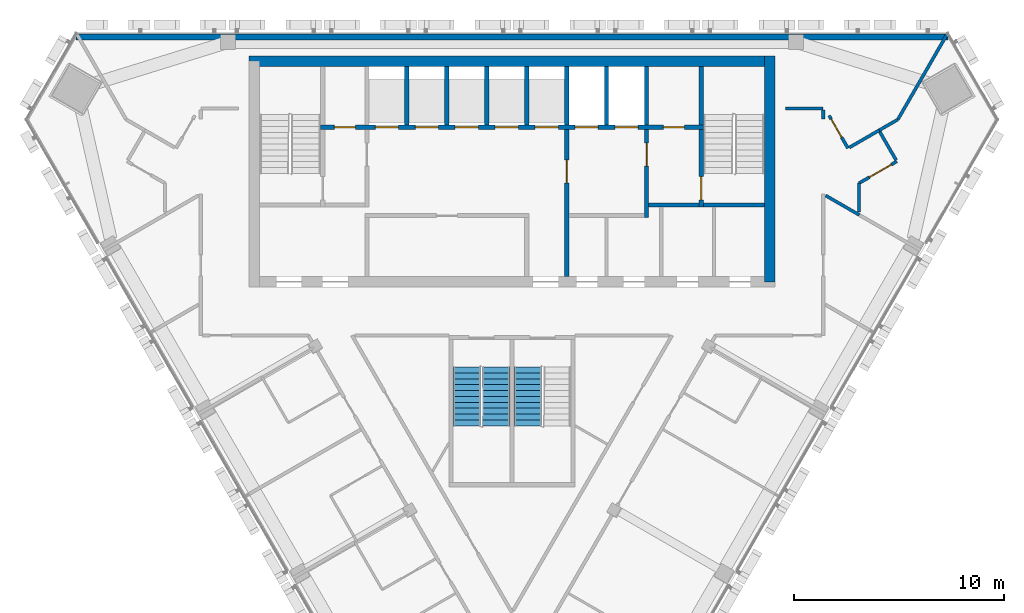
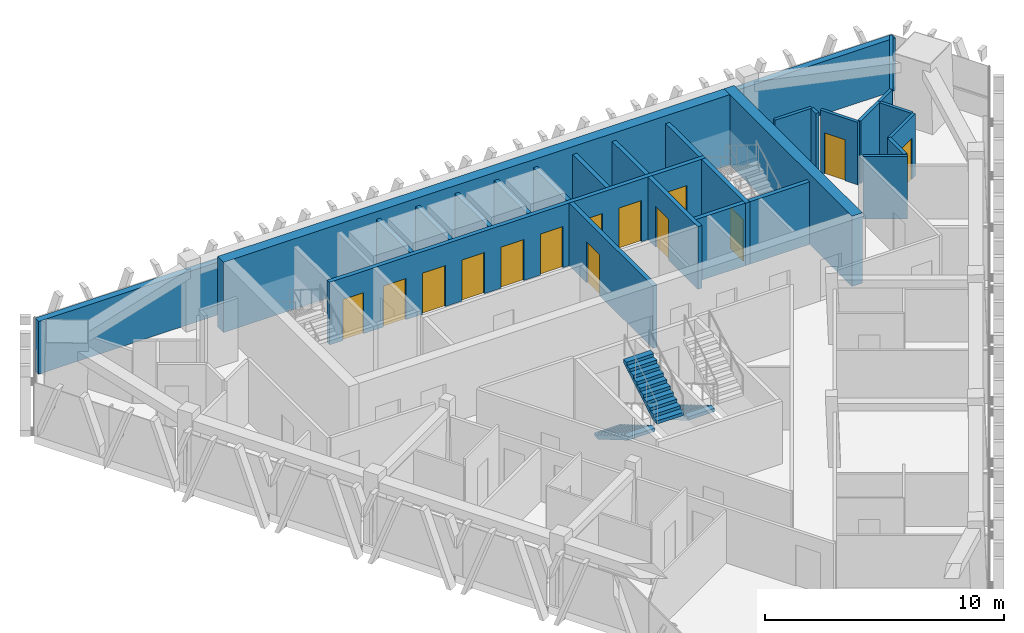
# One storey, part 10 of 14: 27 walls, 14 doors, 3 stair flights, 14 openings, 2 elements without a shape of their own.
"""IFC4 building model written with IfcOpenShell, lengths in metres."""

from ifc_helpers import new_model, si_unit, direction, frame, frame_2d, origin, place, context, subcontext, project, spatial, polyline, rectangle, outline, extrude, material, layer, layer_set, type_object, element, fill, aggregate, save


model = new_model("IFC4")

# Units and contexts
model_context = context("Model", 3, precision=1e-05, world=origin(), true_north=direction((0.0, 1.0)))
body_context = subcontext(model_context, "Body", "Model", "MODEL_VIEW")
ifc_project = project(units=[si_unit("LENGTHUNIT", "METRE"), si_unit("AREAUNIT", "SQUARE_METRE"), si_unit("VOLUMEUNIT", "CUBIC_METRE"), si_unit("PLANEANGLEUNIT", "RADIAN"), si_unit("MASSUNIT", "GRAM", prefix="KILO")], contexts=[model_context])

# Site, building, storey
site_placement = place(None, origin())
site = spatial("IfcSite", under=ifc_project, at=site_placement, CompositionType="ELEMENT")
building_placement = place(site_placement, origin())
building = spatial("IfcBuilding", under=site, at=building_placement, Name="Altiplano Prism Tower", CompositionType="ELEMENT")
storey_placement = place(building_placement, frame((0.0, 0.0, 271.60009765625)))
storey = spatial("IfcBuildingStorey", under=building, at=storey_placement, Name="L70", CompositionType="ELEMENT", Elevation=271.60009765625)

# Walls
ifc_material_1 = material(Name="Concrete C60/75", Category="concrete")
ifc_layer_1 = layer(ifc_material_1, 0.5)
ifc_layer_set_1 = layer_set([ifc_layer_1], Name="Concrete C60/75")
wall_type_1 = type_object("IfcWallType", Name="Core wall 500", PredefinedType="SHEAR", material=ifc_layer_set_1)
wall_1_placement = place(storey_placement, frame((97.25, 93.14990234375, 0.0), z_axis=(0.0, 0.0, 1.0), x_axis=(0.0, 1.0, 0.0)))
element("IfcWall", 1, at=wall_1_placement, inside=storey, type_object=wall_type_1, Name="Core wall E L70", PredefinedType="SHEAR", context=body_context, shape_type="SweptSolid", body=[
    extrude(rectangle(XDim=10.75, YDim=0.5, at=frame_2d((5.375, 0.0))), origin(), (0.0, 0.0, 1.0), 3.599853515625),
])
wall_2_placement = place(storey_placement, frame((97.25, 103.64990234375, 0.0), z_axis=(0.0, 0.0, 1.0), x_axis=(-1.0, 0.0, 0.0)))
element("IfcWall", 2, at=wall_2_placement, inside=storey, type_object=wall_type_1, Name="Core wall N L70", PredefinedType="SHEAR", context=body_context, shape_type="SweptSolid", body=[
    extrude(rectangle(XDim=24.75, YDim=0.5, at=frame_2d((12.375, 0.0))), origin(), (0.0, 0.0, 1.0), 3.599853515625),
])
ifc_material_2 = material(Name="Plasterboard on steel stud", Category="steel")
ifc_layer_2 = layer(ifc_material_2, 0.14990234375)
ifc_layer_set_2 = layer_set([ifc_layer_2], Name="Plasterboard on steel stud")
wall_type_2 = type_object("IfcWallType", Name="Partition 150 corridor", PredefinedType="PARTITIONING", material=ifc_layer_set_2)
wall_3_placement = place(storey_placement, frame((99.91259765625, 97.25439453125, 0.0), z_axis=(0.0, 0.0, 1.0), x_axis=(0.866021029023, -0.500007577232, 0.0)))
element("IfcWall", 3, at=wall_3_placement, inside=storey, type_object=wall_type_2, Name="Partition P06 L70 015", PredefinedType="PARTITIONING", context=body_context, shape_type="SweptSolid", body=[
    extrude(rectangle(XDim=1.85302734375, YDim=0.14990234375, at=frame_2d((0.926513671875, 0.0))), origin(), (0.0, 0.0, 1.0), 3.199951171875),
])
wall_4_placement = place(storey_placement, frame((101.5, 96.4677734375, 0.0), z_axis=(0.0, 0.0, 1.0), x_axis=(0.0, 1.0, 0.0)))
element("IfcWall", 4, at=wall_4_placement, inside=storey, type_object=wall_type_2, Name="Partition P06 L70 016", PredefinedType="PARTITIONING", context=body_context, shape_type="SweptSolid", body=[
    extrude(rectangle(XDim=1.37109375, YDim=0.14990234375, at=frame_2d((0.685546875, 0.0))), origin(), (0.0, 0.0, 1.0), 3.199951171875),
])

# Wall, opening, door
wall_5_placement = place(storey_placement, frame((101.5, 97.8388671875, 0.0), z_axis=(0.0, 0.0, 1.0), x_axis=(0.866029041019, 0.499993700073, 0.0)))
wall_5 = element("IfcWall", 5, at=wall_5_placement, inside=storey, type_object=wall_type_2, Name="Partition P06 L70 017", PredefinedType="PARTITIONING", context=body_context, shape_type="SweptSolid", body=[
    extrude(rectangle(XDim=2.07763671875, YDim=0.14990234375, at=frame_2d((1.038818359375, 0.0))), origin(), (0.0, 0.0, 1.0), 3.199951171875),
])
opening_1_placement = place(wall_5_placement, frame((0.575927734375, 0.0, 0.0)))
opening_1 = element("IfcOpeningElement", 6, at=opening_1_placement, cuts=wall_5, Name="Opening D2224", PredefinedType="OPENING", context=body_context, shape_type="SweptSolid", body=[
    extrude(rectangle(XDim=1.199951171875, YDim=2.10009765625, at=frame_2d((0.60009765625, 1.050048828125))), frame((0.0, 0.08544921875, 0.0), z_axis=(0.0, -1.0, 0.0), x_axis=(1.0, 0.0, 0.0)), (0.0, 0.0, 1.0), 0.1708984375),
])
ifc_material_3 = material(Name="Timber", Category="wood")
door_type_1 = type_object("IfcDoorType", Name="Shared room door 1200 x 2100", OperationType="NOTDEFINED", PredefinedType="NOTDEFINED", material=ifc_material_3)
door_1_placement = place(opening_1_placement, origin())
door_1 = element("IfcDoor", 7, at=door_1_placement, inside=storey, type_object=door_type_1, Name="Door D2224", OperationType="SINGLE_SWING_LEFT", OverallHeight=2.10009765625, OverallWidth=1.199951171875, PredefinedType="NOTDEFINED", context=body_context, shape_type="SweptSolid", body=[
    extrude(rectangle(XDim=1.199951171875, YDim=2.10009765625, at=frame_2d((0.60009765625, 1.050048828125))), frame((0.0, 0.02490234375, 0.0), z_axis=(0.0, -1.0, 0.0), x_axis=(1.0, 0.0, 0.0)), (0.0, 0.0, 1.0), 0.050048828125),
])
fill(opening_1, door_1)

# Walls
wall_6_placement = place(storey_placement, frame((103.26171875, 98.942626953125, 0.0), z_axis=(0.0, 0.0, 1.0), x_axis=(-0.499899694197, 0.866083307622, 0.0)))
element("IfcWall", 8, at=wall_6_placement, inside=storey, type_object=wall_type_2, Name="Partition P06 L70 018", PredefinedType="PARTITIONING", context=body_context, shape_type="SweptSolid", body=[
    extrude(rectangle(XDim=1.550048828125, YDim=0.14990234375, at=frame_2d((0.77490234375, 0.0))), origin(), (0.0, 0.0, 1.0), 3.199951171875),
])
wall_7_placement = place(storey_placement, frame((102.466552734375, 100.360107421875, 0.0), z_axis=(0.0, 0.0, 1.0), x_axis=(-0.866015045157, -0.50001794124, 0.0)))
element("IfcWall", 9, at=wall_7_placement, inside=storey, type_object=wall_type_2, Name="Partition P06 L70 023", PredefinedType="PARTITIONING", context=body_context, shape_type="SweptSolid", body=[
    extrude(rectangle(XDim=1.64501953125, YDim=0.14990234375, at=frame_2d((0.822509765625, 0.0))), origin(), (0.0, 0.0, 1.0), 3.199951171875),
])

# Wall, opening, door
wall_8_placement = place(storey_placement, frame((100.97705078125, 99.5, 0.0), z_axis=(0.0, 0.0, 1.0), x_axis=(-0.499961193289, 0.866047807691, 0.0)))
wall_8 = element("IfcWall", 10, at=wall_8_placement, inside=storey, type_object=wall_type_2, Name="Partition P06 L70 024", PredefinedType="PARTITIONING", context=body_context, shape_type="SweptSolid", body=[
    extrude(rectangle(XDim=1.800048828125, YDim=0.14990234375, at=frame_2d((0.89990234375, 0.0))), origin(), (0.0, 0.0, 1.0), 3.199951171875),
])
opening_2_placement = place(wall_8_placement, frame((0.60009765625, 0.0, 0.0)))
opening_2 = element("IfcOpeningElement", 11, at=opening_2_placement, cuts=wall_8, Name="Opening D2226", PredefinedType="OPENING", context=body_context, shape_type="SweptSolid", body=[
    extrude(rectangle(XDim=1.0, YDim=2.10009765625, at=frame_2d((0.5, 1.050048828125))), frame((0.0, 0.08544921875, 0.0), z_axis=(0.0, -1.0, 0.0), x_axis=(1.0, 0.0, 0.0)), (0.0, 0.0, 1.0), 0.1708984375),
])
door_type_2 = type_object("IfcDoorType", Name="Room door 1000 x 2100", OperationType="NOTDEFINED", PredefinedType="NOTDEFINED", material=ifc_material_3)
door_2_placement = place(opening_2_placement, origin())
door_2 = element("IfcDoor", 12, at=door_2_placement, inside=storey, type_object=door_type_2, Name="Door D2226", OperationType="SINGLE_SWING_RIGHT", OverallHeight=2.10009765625, OverallWidth=1.0, PredefinedType="NOTDEFINED", context=body_context, shape_type="SweptSolid", body=[
    extrude(rectangle(XDim=1.0, YDim=2.10009765625, at=frame_2d((0.5, 1.050048828125))), frame((0.0, 0.02490234375, 0.0), z_axis=(0.0, -1.0, 0.0), x_axis=(1.0, 0.0, 0.0)), (0.0, 0.0, 1.0), 0.050048828125),
])
fill(opening_2, door_2)

# Walls
wall_9_placement = place(storey_placement, frame((99.800048828125, 100.89892578125, 0.0), z_axis=(0.0, 0.0, 1.0), x_axis=(0.0, 1.0, 0.0)))
element("IfcWall", 13, at=wall_9_placement, inside=storey, type_object=wall_type_2, Name="Partition P06 L70 025", PredefinedType="PARTITIONING", context=body_context, shape_type="SweptSolid", body=[
    extrude(rectangle(XDim=0.426025390625, YDim=0.14990234375, at=frame_2d((0.212890625, 0.0))), origin(), (0.0, 0.0, 1.0), 3.199951171875),
])
wall_10_placement = place(storey_placement, frame((99.800048828125, 101.39990234375, 0.0), z_axis=(0.0, 0.0, 1.0), x_axis=(-1.0, 0.0, 0.0)))
element("IfcWall", 14, at=wall_10_placement, inside=storey, type_object=wall_type_2, Name="Partition P06 L70 026", PredefinedType="PARTITIONING", context=body_context, shape_type="SweptSolid", body=[
    extrude(rectangle(XDim=1.800048828125, YDim=0.14990234375, at=frame_2d((0.89990234375, 0.0))), origin(), (0.0, 0.0, 1.0), 3.199951171875),
])
ifc_layer_3 = layer(ifc_material_2, 0.14990234375)
ifc_layer_set_3 = layer_set([ifc_layer_3], Name="Plasterboard on steel stud")
wall_type_3 = type_object("IfcWallType", Name="Partition 150 party", PredefinedType="PARTITIONING", material=ifc_layer_set_3)
wall_11_placement = place(storey_placement, frame((105.67529296875, 104.89990234375, 0.0), z_axis=(0.0, 0.0, 1.0), x_axis=(-0.500014543469, -0.866017006946, 0.0)))
element("IfcWall", 15, at=wall_11_placement, inside=storey, type_object=wall_type_3, Name="Partition P01 L70 057", PredefinedType="PARTITIONING", context=body_context, shape_type="SweptSolid", body=[
    extrude(rectangle(XDim=4.654541015625, YDim=0.14990234375, at=frame_2d((2.3271484375, 0.0))), origin(), (0.0, 0.0, 1.0), 2.699951171875),
])
wall_12_placement = place(storey_placement, frame((103.347900390625, 100.868896484375, 0.0), z_axis=(0.0, 0.0, 1.0), x_axis=(-0.866049759928, -0.499957811549, 0.0)))
element("IfcWall", 16, at=wall_12_placement, inside=storey, type_object=wall_type_3, Name="Partition P01 L70 058", PredefinedType="PARTITIONING", context=body_context, shape_type="SweptSolid", body=[
    extrude(rectangle(XDim=1.017578125, YDim=0.14990234375, at=frame_2d((0.5087890625, 0.0))), origin(), (0.0, 0.0, 1.0), 3.199951171875),
])
ifc_layer_4 = layer(ifc_material_1, 0.199951171875)
ifc_layer_set_4 = layer_set([ifc_layer_4], Name="Concrete C60/75")
wall_type_4 = type_object("IfcWallType", Name="Shaft wall 200", PredefinedType="SOLIDWALL", material=ifc_layer_set_4)
for number, where, z_axis, x_axis, name in (
    (17, (80.0, 100.60009765625, 0.0), (0.0, 0.0, 1.0), (0.0, 1.0, 0.0), "Shaft wall L70"),
    (18, (81.89990234375, 100.60009765625, 0.0), (0.0, 0.0, 1.0), (0.0, 1.0, 0.0), "Shaft wall L70"),
    (19, (83.800048828125, 100.60009765625, 0.0), (0.0, 0.0, 1.0), (0.0, 1.0, 0.0), "Shaft wall L70"),
    (20, (85.699951171875, 100.60009765625, 0.0), (0.0, 0.0, 1.0), (0.0, 1.0, 0.0), "Shaft wall L70"),
    (21, (87.60009765625, 100.60009765625, 0.0), (0.0, 0.0, 1.0), (0.0, 1.0, 0.0), "Shaft wall L70"),
    (22, (89.5, 100.60009765625, 0.0), (0.0, 0.0, 1.0), (0.0, 1.0, 0.0), "Shaft wall L70"),
    (23, (91.39990234375, 100.60009765625, 0.0), (0.0, 0.0, 1.0), (0.0, 1.0, 0.0), "Shaft wall L70"),
):
    element("IfcWall", number, at=place(storey_placement, frame(where, z_axis=z_axis, x_axis=x_axis)), inside=storey, type_object=wall_type_4, Name=name, PredefinedType="SOLIDWALL", context=body_context, shape_type="SweptSolid", body=[
        extrude(rectangle(XDim=2.7998046875, YDim=0.199951171875, at=frame_2d((1.39990234375, 0.0))), origin(), (0.0, 0.0, 1.0), 3.199951171875),
    ])

# Wall, opening, door
ifc_layer_5 = layer(ifc_material_1, 0.199951171875)
ifc_layer_set_5 = layer_set([ifc_layer_5], Name="Concrete C60/75")
wall_type_5 = type_object("IfcWallType", Name="Stair wall 200", PredefinedType="SOLIDWALL", material=ifc_layer_set_5)
wall_13_placement = place(storey_placement, frame((94.0, 96.699951171875, 0.0), z_axis=(0.0, 0.0, 1.0), x_axis=(0.0, 1.0, 0.0)))
wall_13 = element("IfcWall", 24, at=wall_13_placement, inside=storey, type_object=wall_type_5, Name="Stair wall L70", PredefinedType="SOLIDWALL", context=body_context, shape_type="SweptSolid", body=[
    extrude(rectangle(XDim=3.699951171875, YDim=0.199951171875, at=frame_2d((1.85009765625, 0.0))), origin(), (0.0, 0.0, 1.0), 3.199951171875),
])
opening_3_placement = place(wall_13_placement, frame((0.35009765625, 0.0, 0.0)))
opening_3 = element("IfcOpeningElement", 25, at=opening_3_placement, cuts=wall_13, Name="Opening D3563", PredefinedType="OPENING", context=body_context, shape_type="SweptSolid", body=[
    extrude(rectangle(XDim=1.10009765625, YDim=2.10009765625, at=frame_2d((0.550048828125, 1.050048828125))), frame((0.0, 0.1103515625, 0.0), z_axis=(0.0, -1.0, 0.0), x_axis=(1.0, 0.0, 0.0)), (0.0, 0.0, 1.0), 0.220947265625),
])
ifc_material_4 = material(Name="Fire-rated steel door", Category="steel")
door_type_3 = type_object("IfcDoorType", Name="Stair fire door 1100 x 2100", OperationType="NOTDEFINED", PredefinedType="NOTDEFINED", material=ifc_material_4)
door_3_placement = place(opening_3_placement, origin())
door_3 = element("IfcDoor", 26, at=door_3_placement, inside=storey, type_object=door_type_3, Name="Stair fire door D3563", OperationType="SINGLE_SWING_LEFT", OverallHeight=2.10009765625, OverallWidth=1.10009765625, PredefinedType="NOTDEFINED", context=body_context, shape_type="SweptSolid", body=[
    extrude(rectangle(XDim=1.10009765625, YDim=2.10009765625, at=frame_2d((0.550048828125, 1.050048828125))), frame((0.0, 0.02490234375, 0.0), z_axis=(0.0, -1.0, 0.0), x_axis=(1.0, 0.0, 0.0)), (0.0, 0.0, 1.0), 0.050048828125),
])
fill(opening_3, door_3)

# Wall
wall_14_placement = place(storey_placement, frame((94.10009765625, 96.800048828125, 0.0), z_axis=(0.0, 0.0, 1.0), x_axis=(1.0, 0.0, 0.0)))
element("IfcWall", 27, at=wall_14_placement, inside=storey, type_object=wall_type_5, Name="Stair wall L70", PredefinedType="SOLIDWALL", context=body_context, shape_type="SweptSolid", body=[
    extrude(rectangle(XDim=2.89990234375, YDim=0.199951171875, at=frame_2d((1.449951171875, 0.0))), origin(), (0.0, 0.0, 1.0), 3.199951171875),
])

# Wall, openings, doors
wall_15_placement = place(storey_placement, frame((75.89990234375, 100.5, 0.0), z_axis=(0.0, 0.0, 1.0), x_axis=(1.0, 0.0, 0.0)))
wall_15 = element("IfcWall", 28, at=wall_15_placement, inside=storey, type_object=wall_type_5, Name="Stair wall L70", PredefinedType="SOLIDWALL", context=body_context, shape_type="SweptSolid", body=[
    extrude(rectangle(XDim=18.2001953125, YDim=0.199951171875, at=frame_2d((9.10009765625, 0.0))), origin(), (0.0, 0.0, 1.0), 3.199951171875),
])
opening_4_placement = place(wall_15_placement, frame((2.60009765625, 0.0, 0.0)))
opening_4 = element("IfcOpeningElement", 29, at=opening_4_placement, cuts=wall_15, Name="Opening LD-HL1-L70", PredefinedType="OPENING", context=body_context, shape_type="SweptSolid", body=[
    extrude(rectangle(XDim=1.10009765625, YDim=2.10009765625, at=frame_2d((0.550048828125, 1.050048828125))), frame((0.0, 0.1103515625, 0.0), z_axis=(0.0, -1.0, 0.0), x_axis=(1.0, 0.0, 0.0)), (0.0, 0.0, 1.0), 0.220947265625),
])
opening_5_placement = place(wall_15_placement, frame((4.5, 0.0, 0.0)))
opening_5 = element("IfcOpeningElement", 30, at=opening_5_placement, cuts=wall_15, Name="Opening LD-HL2-L70", PredefinedType="OPENING", context=body_context, shape_type="SweptSolid", body=[
    extrude(rectangle(XDim=1.10009765625, YDim=2.10009765625, at=frame_2d((0.550048828125, 1.050048828125))), frame((0.0, 0.1103515625, 0.0), z_axis=(0.0, -1.0, 0.0), x_axis=(1.0, 0.0, 0.0)), (0.0, 0.0, 1.0), 0.220947265625),
])
opening_6_placement = place(wall_15_placement, frame((6.39990234375, 0.0, 0.0)))
opening_6 = element("IfcOpeningElement", 31, at=opening_6_placement, cuts=wall_15, Name="Opening LD-HL3-L70", PredefinedType="OPENING", context=body_context, shape_type="SweptSolid", body=[
    extrude(rectangle(XDim=1.10009765625, YDim=2.10009765625, at=frame_2d((0.550048828125, 1.050048828125))), frame((0.0, 0.1103515625, 0.0), z_axis=(0.0, -1.0, 0.0), x_axis=(1.0, 0.0, 0.0)), (0.0, 0.0, 1.0), 0.220947265625),
])
opening_7_placement = place(wall_15_placement, frame((8.300048828125, 0.0, 0.0)))
opening_7 = element("IfcOpeningElement", 32, at=opening_7_placement, cuts=wall_15, Name="Opening LD-HL4-L70", PredefinedType="OPENING", context=body_context, shape_type="SweptSolid", body=[
    extrude(rectangle(XDim=1.10009765625, YDim=2.10009765625, at=frame_2d((0.550048828125, 1.050048828125))), frame((0.0, 0.1103515625, 0.0), z_axis=(0.0, -1.0, 0.0), x_axis=(1.0, 0.0, 0.0)), (0.0, 0.0, 1.0), 0.220947265625),
])
opening_8_placement = place(wall_15_placement, frame((10.199951171875, 0.0, 0.0)))
opening_8 = element("IfcOpeningElement", 33, at=opening_8_placement, cuts=wall_15, Name="Opening LD-HL5-L70", PredefinedType="OPENING", context=body_context, shape_type="SweptSolid", body=[
    extrude(rectangle(XDim=1.10009765625, YDim=2.10009765625, at=frame_2d((0.550048828125, 1.050048828125))), frame((0.0, 0.1103515625, 0.0), z_axis=(0.0, -1.0, 0.0), x_axis=(1.0, 0.0, 0.0)), (0.0, 0.0, 1.0), 0.220947265625),
])
opening_9_placement = place(wall_15_placement, frame((12.10009765625, 0.0, 0.0)))
opening_9 = element("IfcOpeningElement", 34, at=opening_9_placement, cuts=wall_15, Name="Opening LD-FF1-L70", PredefinedType="OPENING", context=body_context, shape_type="SweptSolid", body=[
    extrude(rectangle(XDim=1.10009765625, YDim=2.10009765625, at=frame_2d((0.550048828125, 1.050048828125))), frame((0.0, 0.1103515625, 0.0), z_axis=(0.0, -1.0, 0.0), x_axis=(1.0, 0.0, 0.0)), (0.0, 0.0, 1.0), 0.220947265625),
])
opening_10_placement = place(wall_15_placement, frame((14.0, 0.0, 0.0)))
opening_10 = element("IfcOpeningElement", 35, at=opening_10_placement, cuts=wall_15, Name="Opening LD-FF2-L70", PredefinedType="OPENING", context=body_context, shape_type="SweptSolid", body=[
    extrude(rectangle(XDim=1.10009765625, YDim=2.10009765625, at=frame_2d((0.550048828125, 1.050048828125))), frame((0.0, 0.1103515625, 0.0), z_axis=(0.0, -1.0, 0.0), x_axis=(1.0, 0.0, 0.0)), (0.0, 0.0, 1.0), 0.220947265625),
])
opening_11_placement = place(wall_15_placement, frame((0.64990234375, 0.0, 0.0)))
opening_11 = element("IfcOpeningElement", 36, at=opening_11_placement, cuts=wall_15, Name="Opening D3570", PredefinedType="OPENING", context=body_context, shape_type="SweptSolid", body=[
    extrude(rectangle(XDim=1.0, YDim=2.10009765625, at=frame_2d((0.5, 1.050048828125))), frame((0.0, 0.1103515625, 0.0), z_axis=(0.0, -1.0, 0.0), x_axis=(1.0, 0.0, 0.0)), (0.0, 0.0, 1.0), 0.220947265625),
])
opening_12_placement = place(wall_15_placement, frame((16.300048828125, 0.0, 0.0)))
opening_12 = element("IfcOpeningElement", 37, at=opening_12_placement, cuts=wall_15, Name="Opening D3571", PredefinedType="OPENING", context=body_context, shape_type="SweptSolid", body=[
    extrude(rectangle(XDim=1.0, YDim=2.10009765625, at=frame_2d((0.5, 1.050048828125))), frame((0.0, 0.1103515625, 0.0), z_axis=(0.0, -1.0, 0.0), x_axis=(1.0, 0.0, 0.0)), (0.0, 0.0, 1.0), 0.220947265625),
])
door_type_4 = type_object("IfcDoorType", Name="Core room door 1000 x 2100", OperationType="NOTDEFINED", PredefinedType="NOTDEFINED", material=ifc_material_4)
door_4_placement = place(opening_11_placement, origin())
door_4 = element("IfcDoor", 38, at=door_4_placement, inside=storey, type_object=door_type_4, Name="Core room door D3570", OperationType="SINGLE_SWING_LEFT", OverallHeight=2.10009765625, OverallWidth=1.0, PredefinedType="NOTDEFINED", context=body_context, shape_type="SweptSolid", body=[
    extrude(rectangle(XDim=1.0, YDim=2.10009765625, at=frame_2d((0.5, 1.050048828125))), frame((0.0, 0.02490234375, 0.0), z_axis=(0.0, -1.0, 0.0), x_axis=(1.0, 0.0, 0.0)), (0.0, 0.0, 1.0), 0.050048828125),
])
fill(opening_11, door_4)
door_5_placement = place(opening_12_placement, origin())
door_5 = element("IfcDoor", 39, at=door_5_placement, inside=storey, type_object=door_type_4, Name="Core room door D3571", OperationType="SINGLE_SWING_RIGHT", OverallHeight=2.10009765625, OverallWidth=1.0, PredefinedType="NOTDEFINED", context=body_context, shape_type="SweptSolid", body=[
    extrude(rectangle(XDim=1.0, YDim=2.10009765625, at=frame_2d((0.5, 1.050048828125))), frame((0.0, 0.02490234375, 0.0), z_axis=(0.0, -1.0, 0.0), x_axis=(1.0, 0.0, 0.0)), (0.0, 0.0, 1.0), 0.050048828125),
])
fill(opening_12, door_5)
ifc_material_5 = material(Name="Stainless steel landing door", Category="steel")
door_type_5 = type_object("IfcDoorType", Name="Landing door 1100 x 2100", OperationType="NOTDEFINED", PredefinedType="NOTDEFINED", material=ifc_material_5)
door_6_placement = place(opening_4_placement, origin())
door_6 = element("IfcDoor", 40, at=door_6_placement, inside=storey, type_object=door_type_5, Name="Landing doors HL1", OperationType="SLIDING_TO_RIGHT", OverallHeight=2.10009765625, OverallWidth=1.10009765625, PredefinedType="NOTDEFINED", context=body_context, shape_type="SweptSolid", body=[
    extrude(rectangle(XDim=1.10009765625, YDim=2.10009765625, at=frame_2d((0.550048828125, 1.050048828125))), frame((0.0, 0.02490234375, 0.0), z_axis=(0.0, -1.0, 0.0), x_axis=(1.0, 0.0, 0.0)), (0.0, 0.0, 1.0), 0.050048828125),
])
fill(opening_4, door_6)
door_7_placement = place(opening_5_placement, origin())
door_7 = element("IfcDoor", 41, at=door_7_placement, inside=storey, type_object=door_type_5, Name="Landing doors HL2", OperationType="SLIDING_TO_LEFT", OverallHeight=2.10009765625, OverallWidth=1.10009765625, PredefinedType="NOTDEFINED", context=body_context, shape_type="SweptSolid", body=[
    extrude(rectangle(XDim=1.10009765625, YDim=2.10009765625, at=frame_2d((0.550048828125, 1.050048828125))), frame((0.0, 0.02490234375, 0.0), z_axis=(0.0, -1.0, 0.0), x_axis=(1.0, 0.0, 0.0)), (0.0, 0.0, 1.0), 0.050048828125),
])
fill(opening_5, door_7)
door_8_placement = place(opening_6_placement, origin())
door_8 = element("IfcDoor", 42, at=door_8_placement, inside=storey, type_object=door_type_5, Name="Landing doors HL3", OperationType="SLIDING_TO_RIGHT", OverallHeight=2.10009765625, OverallWidth=1.10009765625, PredefinedType="NOTDEFINED", context=body_context, shape_type="SweptSolid", body=[
    extrude(rectangle(XDim=1.10009765625, YDim=2.10009765625, at=frame_2d((0.550048828125, 1.050048828125))), frame((0.0, 0.02490234375, 0.0), z_axis=(0.0, -1.0, 0.0), x_axis=(1.0, 0.0, 0.0)), (0.0, 0.0, 1.0), 0.050048828125),
])
fill(opening_6, door_8)
door_9_placement = place(opening_7_placement, origin())
door_9 = element("IfcDoor", 43, at=door_9_placement, inside=storey, type_object=door_type_5, Name="Landing doors HL4", OperationType="SLIDING_TO_LEFT", OverallHeight=2.10009765625, OverallWidth=1.10009765625, PredefinedType="NOTDEFINED", context=body_context, shape_type="SweptSolid", body=[
    extrude(rectangle(XDim=1.10009765625, YDim=2.10009765625, at=frame_2d((0.550048828125, 1.050048828125))), frame((0.0, 0.02490234375, 0.0), z_axis=(0.0, -1.0, 0.0), x_axis=(1.0, 0.0, 0.0)), (0.0, 0.0, 1.0), 0.050048828125),
])
fill(opening_7, door_9)
door_10_placement = place(opening_8_placement, origin())
door_10 = element("IfcDoor", 44, at=door_10_placement, inside=storey, type_object=door_type_5, Name="Landing doors HL5", OperationType="SLIDING_TO_RIGHT", OverallHeight=2.10009765625, OverallWidth=1.10009765625, PredefinedType="NOTDEFINED", context=body_context, shape_type="SweptSolid", body=[
    extrude(rectangle(XDim=1.10009765625, YDim=2.10009765625, at=frame_2d((0.550048828125, 1.050048828125))), frame((0.0, 0.02490234375, 0.0), z_axis=(0.0, -1.0, 0.0), x_axis=(1.0, 0.0, 0.0)), (0.0, 0.0, 1.0), 0.050048828125),
])
fill(opening_8, door_10)
door_11_placement = place(opening_9_placement, origin())
door_11 = element("IfcDoor", 45, at=door_11_placement, inside=storey, type_object=door_type_5, Name="Landing doors FF1", OperationType="SLIDING_TO_RIGHT", OverallHeight=2.10009765625, OverallWidth=1.10009765625, PredefinedType="NOTDEFINED", context=body_context, shape_type="SweptSolid", body=[
    extrude(rectangle(XDim=1.10009765625, YDim=2.10009765625, at=frame_2d((0.550048828125, 1.050048828125))), frame((0.0, 0.02490234375, 0.0), z_axis=(0.0, -1.0, 0.0), x_axis=(1.0, 0.0, 0.0)), (0.0, 0.0, 1.0), 0.050048828125),
])
fill(opening_9, door_11)
door_12_placement = place(opening_10_placement, origin())
door_12 = element("IfcDoor", 46, at=door_12_placement, inside=storey, type_object=door_type_5, Name="Landing doors FF2", OperationType="SLIDING_TO_LEFT", OverallHeight=2.10009765625, OverallWidth=1.10009765625, PredefinedType="NOTDEFINED", context=body_context, shape_type="SweptSolid", body=[
    extrude(rectangle(XDim=1.10009765625, YDim=2.10009765625, at=frame_2d((0.550048828125, 1.050048828125))), frame((0.0, 0.02490234375, 0.0), z_axis=(0.0, -1.0, 0.0), x_axis=(1.0, 0.0, 0.0)), (0.0, 0.0, 1.0), 0.050048828125),
])
fill(opening_10, door_12)

# Walls
wall_16_placement = place(storey_placement, frame((94.0, 100.60009765625, 0.0), z_axis=(0.0, 0.0, 1.0), x_axis=(0.0, 1.0, 0.0)))
element("IfcWall", 47, at=wall_16_placement, inside=storey, type_object=wall_type_5, Name="Stair wall L70", PredefinedType="SOLIDWALL", context=body_context, shape_type="SweptSolid", body=[
    extrude(rectangle(XDim=2.7998046875, YDim=0.199951171875, at=frame_2d((1.39990234375, 0.0))), origin(), (0.0, 0.0, 1.0), 3.199951171875),
])
ifc_material_6 = material(Name="Concrete C40", Category="concrete")
ifc_layer_6 = layer(ifc_material_6, 0.300048828125)
ifc_layer_set_6 = layer_set([ifc_layer_6], Name="Concrete C40")
wall_type_6 = type_object("IfcWallType", Name="Stone-clad external wall 300", PredefinedType="SOLIDWALL", material=ifc_layer_set_6)
wall_17_placement = place(storey_placement, frame((64.266845703125, 104.7900390625, 0.0), z_axis=(0.0, 0.0, 1.0), x_axis=(1.0, 0.0, 0.0)))
element("IfcWall", 48, at=wall_17_placement, inside=storey, type_object=wall_type_6, Name="External wall north face L70", PredefinedType="SOLIDWALL", context=body_context, shape_type="SweptSolid", body=[
    extrude(rectangle(XDim=41.46630859375, YDim=0.300048828125, at=frame_2d((20.733154296875, 0.0))), origin(), (0.0, 0.0, 1.0), 2.699951171875),
])

# Wall, opening, door
ifc_layer_7 = layer(ifc_material_1, 0.199951171875)
ifc_layer_set_7 = layer_set([ifc_layer_7], Name="Concrete C60/75")
wall_type_7 = type_object("IfcWallType", Name="Vestibule wall 200", PredefinedType="PARTITIONING", material=ifc_layer_set_7)
wall_18_placement = place(storey_placement, frame((87.60009765625, 93.39990234375, 0.0), z_axis=(0.0, 0.0, 1.0), x_axis=(0.0, 1.0, 0.0)))
wall_18 = element("IfcWall", 49, at=wall_18_placement, inside=storey, type_object=wall_type_7, Name="Vestibule wall L70", PredefinedType="PARTITIONING", context=body_context, shape_type="SweptSolid", body=[
    extrude(rectangle(XDim=7.0, YDim=0.199951171875, at=frame_2d((3.5, 0.0))), origin(), (0.0, 0.0, 1.0), 3.199951171875),
])
opening_13_placement = place(wall_18_placement, frame((4.449951171875, 0.0, 0.0)))
opening_13 = element("IfcOpeningElement", 50, at=opening_13_placement, cuts=wall_18, Name="Opening D3565", PredefinedType="OPENING", context=body_context, shape_type="SweptSolid", body=[
    extrude(rectangle(XDim=1.10009765625, YDim=2.10009765625, at=frame_2d((0.550048828125, 1.050048828125))), frame((0.0, 0.1103515625, 0.0), z_axis=(0.0, -1.0, 0.0), x_axis=(1.0, 0.0, 0.0)), (0.0, 0.0, 1.0), 0.220947265625),
])
door_type_6 = type_object("IfcDoorType", Name="Vestibule fire door 1100 x 2100", OperationType="NOTDEFINED", PredefinedType="NOTDEFINED", material=ifc_material_4)
door_13_placement = place(opening_13_placement, origin())
door_13 = element("IfcDoor", 51, at=door_13_placement, inside=storey, type_object=door_type_6, Name="Vestibule fire door D3565", OperationType="SINGLE_SWING_RIGHT", OverallHeight=2.10009765625, OverallWidth=1.10009765625, PredefinedType="NOTDEFINED", context=body_context, shape_type="SweptSolid", body=[
    extrude(rectangle(XDim=1.10009765625, YDim=2.10009765625, at=frame_2d((0.550048828125, 1.050048828125))), frame((0.0, 0.02490234375, 0.0), z_axis=(0.0, -1.0, 0.0), x_axis=(1.0, 0.0, 0.0)), (0.0, 0.0, 1.0), 0.050048828125),
])
fill(opening_13, door_13)

wall_19_placement = place(storey_placement, frame((91.39990234375, 96.199951171875, 0.0), z_axis=(0.0, 0.0, 1.0), x_axis=(0.0, 1.0, 0.0)))
wall_19 = element("IfcWall", 52, at=wall_19_placement, inside=storey, type_object=wall_type_7, Name="Vestibule wall L70", PredefinedType="PARTITIONING", context=body_context, shape_type="SweptSolid", body=[
    extrude(rectangle(XDim=4.199951171875, YDim=0.199951171875, at=frame_2d((2.10009765625, 0.0))), origin(), (0.0, 0.0, 1.0), 3.199951171875),
])
opening_14_placement = place(wall_19_placement, frame((2.449951171875, 0.0, 0.0)))
opening_14 = element("IfcOpeningElement", 53, at=opening_14_placement, cuts=wall_19, Name="Opening D3566", PredefinedType="OPENING", context=body_context, shape_type="SweptSolid", body=[
    extrude(rectangle(XDim=1.10009765625, YDim=2.10009765625, at=frame_2d((0.550048828125, 1.050048828125))), frame((0.0, 0.1103515625, 0.0), z_axis=(0.0, -1.0, 0.0), x_axis=(1.0, 0.0, 0.0)), (0.0, 0.0, 1.0), 0.220947265625),
])
door_14_placement = place(opening_14_placement, origin())
door_14 = element("IfcDoor", 54, at=door_14_placement, inside=storey, type_object=door_type_6, Name="Vestibule fire door D3566", OperationType="SINGLE_SWING_LEFT", OverallHeight=2.10009765625, OverallWidth=1.10009765625, PredefinedType="NOTDEFINED", context=body_context, shape_type="SweptSolid", body=[
    extrude(rectangle(XDim=1.10009765625, YDim=2.10009765625, at=frame_2d((0.550048828125, 1.050048828125))), frame((0.0, 0.02490234375, 0.0), z_axis=(0.0, -1.0, 0.0), x_axis=(1.0, 0.0, 0.0)), (0.0, 0.0, 1.0), 0.050048828125),
])
fill(opening_14, door_14)

# Wall
wall_20_placement = place(storey_placement, frame((91.5, 96.800048828125, 0.0), z_axis=(0.0, 0.0, 1.0), x_axis=(1.0, 0.0, 0.0)))
element("IfcWall", 55, at=wall_20_placement, inside=storey, type_object=wall_type_7, Name="Vestibule wall L70", PredefinedType="PARTITIONING", context=body_context, shape_type="SweptSolid", body=[
    extrude(rectangle(XDim=2.39990234375, YDim=0.199951171875, at=frame_2d((1.199951171875, 0.0))), origin(), (0.0, 0.0, 1.0), 3.199951171875),
])

# Stair, stair flights
ifc_material_7 = material(Name="Concrete C40/50", Category="concrete")
stair_type = type_object("IfcStairType", Name="Exit stair 1300", PredefinedType="HALF_TURN_STAIR", material=ifc_material_7)
stair_1_placement = place(storey_placement, origin())
stair_1 = element("IfcStair", 56, at=stair_1_placement, inside=storey, type_object=stair_type, Name="L70 Exit Stair 3A", PredefinedType="HALF_TURN_STAIR")
stair_flight_type = type_object("IfcStairFlightType", Name="Stair flight concrete 150", PredefinedType="STRAIGHT", material=ifc_material_7)
stair_flight_1_placement = place(storey_placement, frame((82.85009765625, 89.10009765625, 0.0), z_axis=(0.0, 0.0, 1.0), x_axis=(0.0, -1.0, 0.0)))
stair_flight_1 = element("IfcStairFlight", 57, at=stair_flight_1_placement, type_object=stair_flight_type, Name="ST3A flight 1", NumberOfRisers=11, NumberOfTreads=10, PredefinedType="STRAIGHT", RiserHeight=0.163636364, TreadLength=0.28, context=body_context, shape_type="SweptSolid", body=[
    extrude(outline(polyline([(0.0, 0.0), (0.0, 0.16357421875), (0.280029296875, 0.16357421875), (0.280029296875, 0.327392578125), (0.56005859375, 0.327392578125), (0.56005859375, 0.490966796875), (0.840087890625, 0.490966796875), (0.840087890625, 0.654541015625), (1.1201171875, 0.654541015625), (1.1201171875, 0.818115234375), (1.39990234375, 0.818115234375), (1.39990234375, 0.98193359375), (1.679931640625, 0.98193359375), (1.679931640625, 1.1455078125), (1.9599609375, 1.1455078125), (1.9599609375, 1.30908203125), (2.239990234375, 1.30908203125), (2.239990234375, 1.47265625), (2.52001953125, 1.47265625), (2.52001953125, 1.636474609375), (2.800048828125, 1.636474609375), (2.800048828125, 1.800048828125), (2.800048828125, 1.462646484375), (0.297119140625, 0.0), (0.0, 0.0)])), frame((0.0, 0.64990234375, 0.0), z_axis=(0.0, -1.0, 0.0), x_axis=(1.0, 0.0, 0.0)), (0.0, 0.0, 1.0), 1.300048828125),
])
stair_flight_2_placement = place(storey_placement, frame((84.25, 86.300048828125, 1.7998046875), z_axis=(0.0, 0.0, 1.0), x_axis=(0.0, 1.0, 0.0)))
stair_flight_2 = element("IfcStairFlight", 58, at=stair_flight_2_placement, type_object=stair_flight_type, Name="ST3A flight 2", NumberOfRisers=11, NumberOfTreads=10, PredefinedType="STRAIGHT", RiserHeight=0.163636364, TreadLength=0.28, context=body_context, shape_type="SweptSolid", body=[
    extrude(outline(polyline([(0.0, 0.0), (0.0, 0.16357421875), (0.280029296875, 0.16357421875), (0.280029296875, 0.327392578125), (0.56005859375, 0.327392578125), (0.56005859375, 0.490966796875), (0.840087890625, 0.490966796875), (0.840087890625, 0.654541015625), (1.1201171875, 0.654541015625), (1.1201171875, 0.818115234375), (1.39990234375, 0.818115234375), (1.39990234375, 0.98193359375), (1.679931640625, 0.98193359375), (1.679931640625, 1.1455078125), (1.9599609375, 1.1455078125), (1.9599609375, 1.30908203125), (2.239990234375, 1.30908203125), (2.239990234375, 1.47265625), (2.52001953125, 1.47265625), (2.52001953125, 1.636474609375), (2.800048828125, 1.636474609375), (2.800048828125, 1.800048828125), (2.800048828125, 1.462646484375), (0.297119140625, 0.0), (0.0, 0.0)])), frame((0.0, 0.64990234375, 0.0), z_axis=(0.0, -1.0, 0.0), x_axis=(1.0, 0.0, 0.0)), (0.0, 0.0, 1.0), 1.300048828125),
])
aggregate(stair_1, [stair_flight_1, stair_flight_2])

# Stair, stair flight
stair_2_placement = place(storey_placement, origin())
stair_2 = element("IfcStair", 59, at=stair_2_placement, inside=storey, type_object=stair_type, Name="L70 Exit Stair 3B", PredefinedType="HALF_TURN_STAIR")
stair_flight_3_placement = place(storey_placement, frame((85.75, 89.10009765625, 0.0), z_axis=(0.0, 0.0, 1.0), x_axis=(0.0, -1.0, 0.0)))
stair_flight_3 = element("IfcStairFlight", 60, at=stair_flight_3_placement, type_object=stair_flight_type, Name="ST3B flight 1", NumberOfRisers=11, NumberOfTreads=10, PredefinedType="STRAIGHT", RiserHeight=0.163636364, TreadLength=0.28, context=body_context, shape_type="SweptSolid", body=[
    extrude(outline(polyline([(0.0, 0.0), (0.0, 0.16357421875), (0.280029296875, 0.16357421875), (0.280029296875, 0.327392578125), (0.56005859375, 0.327392578125), (0.56005859375, 0.490966796875), (0.840087890625, 0.490966796875), (0.840087890625, 0.654541015625), (1.1201171875, 0.654541015625), (1.1201171875, 0.818115234375), (1.39990234375, 0.818115234375), (1.39990234375, 0.98193359375), (1.679931640625, 0.98193359375), (1.679931640625, 1.1455078125), (1.9599609375, 1.1455078125), (1.9599609375, 1.30908203125), (2.239990234375, 1.30908203125), (2.239990234375, 1.47265625), (2.52001953125, 1.47265625), (2.52001953125, 1.636474609375), (2.800048828125, 1.636474609375), (2.800048828125, 1.800048828125), (2.800048828125, 1.462646484375), (0.297119140625, 0.0), (0.0, 0.0)])), frame((0.0, 0.64990234375, 0.0), z_axis=(0.0, -1.0, 0.0), x_axis=(1.0, 0.0, 0.0)), (0.0, 0.0, 1.0), 1.300048828125),
])
aggregate(stair_2, [stair_flight_3])

save(model, "model.ifc")
